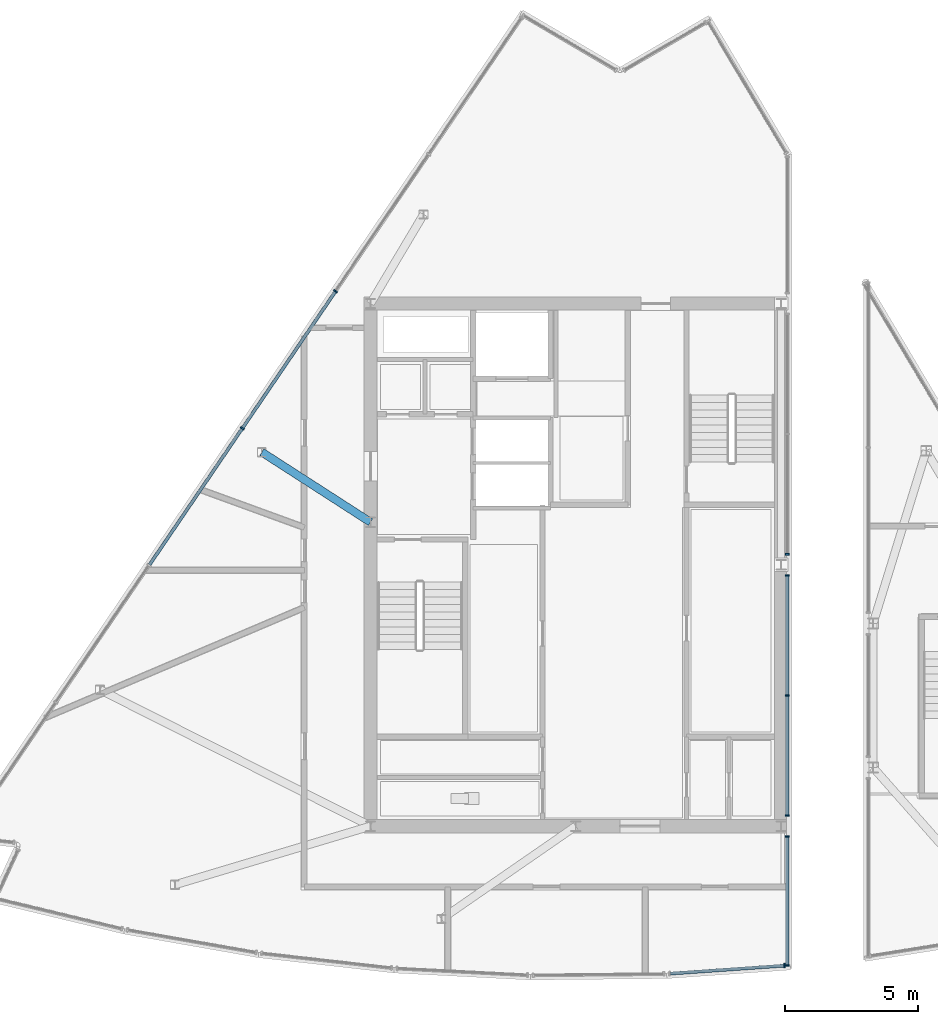
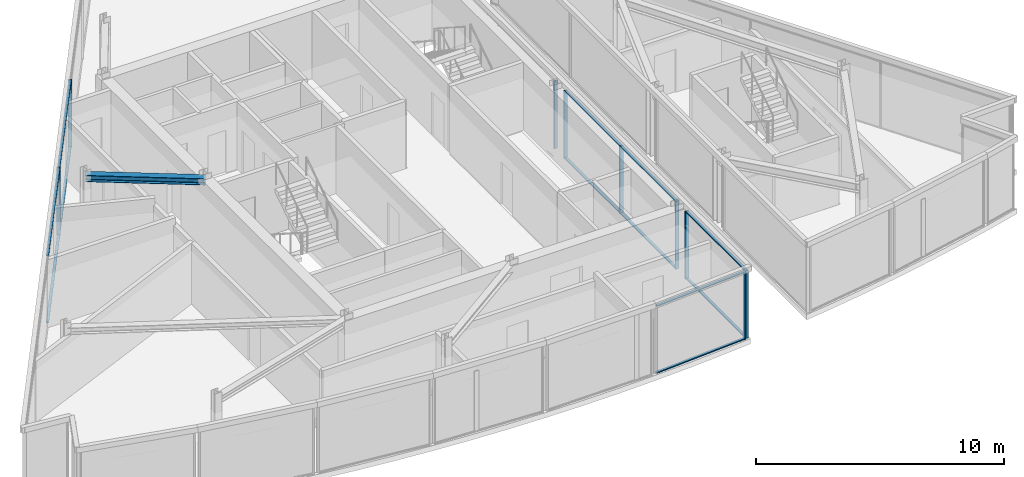
# One storey, part 4 of 15: 21 members, 1 beam, 5 elements without a shape of their own.
"""IFC4 building model written with IfcOpenShell, lengths in metres."""

from ifc_helpers import new_model, si_unit, direction, frame, origin, origin_2d, place, context, subcontext, project, spatial, rectangle, i_section, extrude, material, material_profile, profile_set, type_object, element, aggregate, save


model = new_model("IFC4")

# Units and contexts
model_context = context("Model", 3, precision=1e-05, world=origin(), true_north=direction((0.0, 1.0)))
body_context = subcontext(model_context, "Body", "Model", "MODEL_VIEW")
ifc_project = project(units=[si_unit("LENGTHUNIT", "METRE"), si_unit("AREAUNIT", "SQUARE_METRE"), si_unit("VOLUMEUNIT", "CUBIC_METRE"), si_unit("PLANEANGLEUNIT", "RADIAN"), si_unit("MASSUNIT", "GRAM", prefix="KILO")], contexts=[model_context])

# Site, building, storey
site_placement = place(None, origin())
site = spatial("IfcSite", under=ifc_project, at=site_placement, CompositionType="ELEMENT")
building_placement = place(site_placement, origin())
building = spatial("IfcBuilding", under=site, at=building_placement, Name="Savorim Split Tower", CompositionType="ELEMENT")
storey_placement = place(building_placement, frame((0.0, 0.0, 304.800048828125)))
storey = spatial("IfcBuildingStorey", under=building, at=storey_placement, Name="Crown L81 Plant", CompositionType="ELEMENT", Elevation=304.800048828125)

# Beam
ifc_material_1 = material(Name="Steel S355", Category="steel")
ifc_material_profile_1 = material_profile(ifc_material_1, i_section(OverallWidth=0.300048828125, OverallDepth=0.320068359375, WebThickness=0.011474609375, FlangeThickness=0.0205078125, FilletRadius=0.027099609375, at=origin_2d()), Name="HEB 320")
ifc_profile_set_1 = profile_set([ifc_material_profile_1], Name="Steel S355")
beam_type = type_object("IfcBeamType", Name="BM-PRI-HEB320", PredefinedType="BEAM", material=ifc_profile_set_1)
beam_placement = place(storey_placement, frame((-11.775390625, 4.626708984375, 3.179931640625), z_axis=(0.840541482681, -0.541747188172, 0.0), x_axis=(0.541747188172, 0.840541482681, 0.0)))
element("IfcBeam", 1, at=beam_placement, inside=storey, type_object=beam_type, Name="Crown L81 Plant West Crown Beam WBG-4", PredefinedType="BEAM", context=body_context, shape_type="SweptSolid", body=[
    extrude(i_section(OverallWidth=0.300048828125, OverallDepth=0.320068359375, WebThickness=0.011474609375, FlangeThickness=0.0205078125, FilletRadius=0.027099609375, at=origin_2d()), origin(), (0.0, 0.0, 1.0), 4.8486328125),
])

# Curtain wall, members
ifc_material_2 = material(Name="Dark Ceramic-Fritted Insulated Glass", Category="glass")
curtain_wall_type = type_object("IfcCurtainWallType", Name="CW-CROWN-CREST", PredefinedType="NOTDEFINED", material=ifc_material_2)
curtain_wall_1_placement = place(storey_placement, origin())
curtain_wall_1 = element("IfcCurtainWall", 2, at=curtain_wall_1_placement, inside=storey, type_object=curtain_wall_type, Name="Crown L81 Plant Curtain Wall CW-Crown-L81-Plant-W1AS1", PredefinedType="NOTDEFINED")
ifc_material_3 = material(Name="Charcoal Anodised Aluminium", Category="aluminium")
ifc_material_profile_2 = material_profile(ifc_material_3, rectangle(XDim=0.159912109375, YDim=0.06005859375, at=origin_2d()), Name="ALU-M 160x60")
ifc_profile_set_2 = profile_set([ifc_material_profile_2], Name="Charcoal Anodised Aluminium")
member_type_1 = type_object("IfcMemberType", Name="CWM-160x60", PredefinedType="MULLION", material=ifc_profile_set_2)
member_1_placement = place(storey_placement, frame((7.929931640625, -14.625732421875, 0.0), z_axis=(0.0, 0.0, 1.0), x_axis=(-1.0, 0.0, 0.0)))
member_1 = element("IfcMember", 3, at=member_1_placement, type_object=member_type_1, Name="CW-07 mullion 1", PredefinedType="MULLION", context=body_context, shape_type="SweptSolid", body=[
    extrude(rectangle(XDim=0.159912109375, YDim=0.06005859375, at=origin_2d()), origin(), (0.0, 0.0, 1.0), 3.33984375),
])
member_2_placement = place(storey_placement, frame((7.929931640625, -9.7958984375, 0.0), z_axis=(0.0, 0.0, 1.0), x_axis=(-1.0, 0.0, 0.0)))
member_2 = element("IfcMember", 4, at=member_2_placement, type_object=member_type_1, Name="CW-07 mullion 2", PredefinedType="MULLION", context=body_context, shape_type="SweptSolid", body=[
    extrude(rectangle(XDim=0.159912109375, YDim=0.06005859375, at=origin_2d()), origin(), (0.0, 0.0, 1.0), 3.33984375),
])

curtain_wall_2_placement = place(storey_placement, origin())
curtain_wall_2 = element("IfcCurtainWall", 5, at=curtain_wall_2_placement, inside=storey, type_object=curtain_wall_type, Name="Crown L81 Plant Curtain Wall CW-Crown-L81-Plant-W1AS2", PredefinedType="NOTDEFINED")
member_3_placement = place(storey_placement, frame((7.929931640625, -9.00390625, 0.0), z_axis=(0.0, 0.0, 1.0), x_axis=(-1.0, 0.0, 0.0)))
member_3 = element("IfcMember", 6, at=member_3_placement, type_object=member_type_1, Name="CW-07 mullion 1", PredefinedType="MULLION", context=body_context, shape_type="SweptSolid", body=[
    extrude(rectangle(XDim=0.159912109375, YDim=0.06005859375, at=origin_2d()), origin(), (0.0, 0.0, 1.0), 3.33984375),
])
member_4_placement = place(storey_placement, frame((7.929931640625, -4.5, 0.0), z_axis=(0.0, 0.0, 1.0), x_axis=(-1.0, 0.0, 0.0)))
member_4 = element("IfcMember", 7, at=member_4_placement, type_object=member_type_1, Name="CW-07 mullion 2", PredefinedType="MULLION", context=body_context, shape_type="SweptSolid", body=[
    extrude(rectangle(XDim=0.159912109375, YDim=0.06005859375, at=origin_2d()), origin(), (0.0, 0.0, 1.0), 3.33984375),
])
member_5_placement = place(storey_placement, frame((7.929931640625, 0.00390625, 0.0), z_axis=(0.0, 0.0, 1.0), x_axis=(-1.0, 0.0, 0.0)))
member_5 = element("IfcMember", 8, at=member_5_placement, type_object=member_type_1, Name="CW-07 mullion 3", PredefinedType="MULLION", context=body_context, shape_type="SweptSolid", body=[
    extrude(rectangle(XDim=0.159912109375, YDim=0.06005859375, at=origin_2d()), origin(), (0.0, 0.0, 1.0), 3.33984375),
])

# Curtain wall, member
curtain_wall_3_placement = place(storey_placement, origin())
curtain_wall_3 = element("IfcCurtainWall", 9, at=curtain_wall_3_placement, inside=storey, type_object=curtain_wall_type, Name="Crown L81 Plant Curtain Wall CW-Crown-L81-Plant-W1AS3", PredefinedType="NOTDEFINED")
member_6_placement = place(storey_placement, frame((7.929931640625, 0.7958984375, 0.0), z_axis=(0.0, 0.0, 1.0), x_axis=(-1.0, 0.0, 0.0)))
member_6 = element("IfcMember", 10, at=member_6_placement, type_object=member_type_1, Name="CW-07 mullion 1", PredefinedType="MULLION", context=body_context, shape_type="SweptSolid", body=[
    extrude(rectangle(XDim=0.159912109375, YDim=0.06005859375, at=origin_2d()), origin(), (0.0, 0.0, 1.0), 3.33984375),
])
aggregate(curtain_wall_3, [member_6])

# Curtain wall, members
curtain_wall_4_placement = place(storey_placement, origin())
curtain_wall_4 = element("IfcCurtainWall", 11, at=curtain_wall_4_placement, inside=storey, type_object=curtain_wall_type, Name="Crown L81 Plant Curtain Wall CW-Crown-L81-Plant-W5A", PredefinedType="NOTDEFINED")
member_7_placement = place(storey_placement, frame((-9.01123046875, 10.65966796875, 0.0), z_axis=(0.0, 0.0, 1.0), x_axis=(0.826819666495, -0.562467100457, 0.0)))
member_7 = element("IfcMember", 12, at=member_7_placement, type_object=member_type_1, Name="CW-07 mullion 3", PredefinedType="MULLION", context=body_context, shape_type="SweptSolid", body=[
    extrude(rectangle(XDim=0.159912109375, YDim=0.06005859375, at=origin_2d()), origin(), (0.0, 0.0, 1.0), 3.33984375),
])
member_8_placement = place(storey_placement, frame((-12.507568359375, 5.52001953125, 0.0), z_axis=(0.0, 0.0, 1.0), x_axis=(0.826819666495, -0.562467100457, 0.0)))
member_8 = element("IfcMember", 13, at=member_8_placement, type_object=member_type_1, Name="CW-07 mullion 4", PredefinedType="MULLION", context=body_context, shape_type="SweptSolid", body=[
    extrude(rectangle(XDim=0.159912109375, YDim=0.06005859375, at=origin_2d()), origin(), (0.0, 0.0, 1.0), 3.33984375),
])

# Curtain wall, member
curtain_wall_5_placement = place(storey_placement, origin())
curtain_wall_5 = element("IfcCurtainWall", 14, at=curtain_wall_5_placement, inside=storey, type_object=curtain_wall_type, Name="Crown L81 Plant Curtain Wall CW-Crown-L81-Plant-W13A", PredefinedType="NOTDEFINED")
member_9_placement = place(storey_placement, frame((7.827392578125, -14.631103515625, 0.0), z_axis=(0.0, 0.0, 1.0), x_axis=(-0.069501131045, 0.997581872722, 0.0)))
member_9 = element("IfcMember", 15, at=member_9_placement, type_object=member_type_1, Name="CW-07 mullion 2", PredefinedType="MULLION", context=body_context, shape_type="SweptSolid", body=[
    extrude(rectangle(XDim=0.159912109375, YDim=0.06005859375, at=origin_2d()), origin(), (0.0, 0.0, 1.0), 3.33984375),
])

# Member
ifc_material_profile_3 = material_profile(ifc_material_3, rectangle(XDim=0.1201171875, YDim=0.050048828125, at=origin_2d()), Name="ALU-T 120x50")
ifc_profile_set_3 = profile_set([ifc_material_profile_3], Name="Charcoal Anodised Aluminium")
member_type_2 = type_object("IfcMemberType", Name="CWT-120x50", PredefinedType="USERDEFINED", material=ifc_profile_set_3)
member_10_placement = place(storey_placement, frame((7.929931640625, -14.595703125, 0.02490234375), z_axis=(0.0, 1.0, 0.0), x_axis=(-1.0, 0.0, 0.0)))
member_10 = element("IfcMember", 16, at=member_10_placement, type_object=member_type_2, Name="CW-07 transom 1.1", ObjectType="TRANSOM", PredefinedType="USERDEFINED", context=body_context, shape_type="SweptSolid", body=[
    extrude(rectangle(XDim=0.1201171875, YDim=0.050048828125, at=origin_2d()), origin(), (0.0, 0.0, 1.0), 4.769775390625),
])

member_11_placement = place(storey_placement, frame((7.929931640625, -14.595703125, 3.31494140625), z_axis=(0.0, 1.0, 0.0), x_axis=(-1.0, 0.0, 0.0)))
member_11 = element("IfcMember", 17, at=member_11_placement, type_object=member_type_2, Name="CW-07 transom 1.2", ObjectType="TRANSOM", PredefinedType="USERDEFINED", context=body_context, shape_type="SweptSolid", body=[
    extrude(rectangle(XDim=0.1201171875, YDim=0.050048828125, at=origin_2d()), origin(), (0.0, 0.0, 1.0), 4.769775390625),
])

aggregate(curtain_wall_1, [member_1, member_2, member_10, member_11])

member_12_placement = place(storey_placement, frame((7.929931640625, -8.97412109375, 0.02490234375), z_axis=(0.0, 1.0, 0.0), x_axis=(-1.0, 0.0, 0.0)))
member_12 = element("IfcMember", 18, at=member_12_placement, type_object=member_type_2, Name="CW-07 transom 1.1", ObjectType="TRANSOM", PredefinedType="USERDEFINED", context=body_context, shape_type="SweptSolid", body=[
    extrude(rectangle(XDim=0.1201171875, YDim=0.050048828125, at=origin_2d()), origin(), (0.0, 0.0, 1.0), 4.444091796875),
])

member_13_placement = place(storey_placement, frame((7.929931640625, -8.97412109375, 3.31494140625), z_axis=(0.0, 1.0, 0.0), x_axis=(-1.0, 0.0, 0.0)))
member_13 = element("IfcMember", 19, at=member_13_placement, type_object=member_type_2, Name="CW-07 transom 1.2", ObjectType="TRANSOM", PredefinedType="USERDEFINED", context=body_context, shape_type="SweptSolid", body=[
    extrude(rectangle(XDim=0.1201171875, YDim=0.050048828125, at=origin_2d()), origin(), (0.0, 0.0, 1.0), 4.444091796875),
])

member_14_placement = place(storey_placement, frame((7.929931640625, -4.469970703125, 0.02490234375), z_axis=(0.0, 1.0, 0.0), x_axis=(-1.0, 0.0, 0.0)))
member_14 = element("IfcMember", 20, at=member_14_placement, type_object=member_type_2, Name="CW-07 transom 2.1", ObjectType="TRANSOM", PredefinedType="USERDEFINED", context=body_context, shape_type="SweptSolid", body=[
    extrude(rectangle(XDim=0.1201171875, YDim=0.050048828125, at=origin_2d()), origin(), (0.0, 0.0, 1.0), 4.444091796875),
])

member_15_placement = place(storey_placement, frame((7.929931640625, -4.469970703125, 3.31494140625), z_axis=(0.0, 1.0, 0.0), x_axis=(-1.0, 0.0, 0.0)))
member_15 = element("IfcMember", 21, at=member_15_placement, type_object=member_type_2, Name="CW-07 transom 2.2", ObjectType="TRANSOM", PredefinedType="USERDEFINED", context=body_context, shape_type="SweptSolid", body=[
    extrude(rectangle(XDim=0.1201171875, YDim=0.050048828125, at=origin_2d()), origin(), (0.0, 0.0, 1.0), 4.444091796875),
])

aggregate(curtain_wall_2, [member_3, member_4, member_5, member_12, member_13, member_14, member_15])

member_16_placement = place(storey_placement, frame((-9.028076171875, 10.634765625, 0.02490234375), z_axis=(-0.562482486434, -0.826809199547, 0.0), x_axis=(0.826809199547, -0.562482486434, 0.0)))
member_16 = element("IfcMember", 22, at=member_16_placement, type_object=member_type_2, Name="CW-07 transom 3.1", ObjectType="TRANSOM", PredefinedType="USERDEFINED", context=body_context, shape_type="SweptSolid", body=[
    extrude(rectangle(XDim=0.1201171875, YDim=0.050048828125, at=origin_2d()), origin(), (0.0, 0.0, 1.0), 6.156005859375),
])

member_17_placement = place(storey_placement, frame((-9.028076171875, 10.634765625, 3.31494140625), z_axis=(-0.562482486434, -0.826809199547, 0.0), x_axis=(0.826809199547, -0.562482486434, 0.0)))
member_17 = element("IfcMember", 23, at=member_17_placement, type_object=member_type_2, Name="CW-07 transom 3.2", ObjectType="TRANSOM", PredefinedType="USERDEFINED", context=body_context, shape_type="SweptSolid", body=[
    extrude(rectangle(XDim=0.1201171875, YDim=0.050048828125, at=origin_2d()), origin(), (0.0, 0.0, 1.0), 6.156005859375),
])

member_18_placement = place(storey_placement, frame((-12.5244140625, 5.4951171875, 0.02490234375), z_axis=(-0.562482486434, -0.826809199547, 0.0), x_axis=(0.826809199547, -0.562482486434, 0.0)))
member_18 = element("IfcMember", 24, at=member_18_placement, type_object=member_type_2, Name="CW-07 transom 4.1", ObjectType="TRANSOM", PredefinedType="USERDEFINED", context=body_context, shape_type="SweptSolid", body=[
    extrude(rectangle(XDim=0.1201171875, YDim=0.050048828125, at=origin_2d()), origin(), (0.0, 0.0, 1.0), 6.156005859375),
])

member_19_placement = place(storey_placement, frame((-12.5244140625, 5.4951171875, 3.31494140625), z_axis=(-0.562482486434, -0.826809199547, 0.0), x_axis=(0.826809199547, -0.562482486434, 0.0)))
member_19 = element("IfcMember", 25, at=member_19_placement, type_object=member_type_2, Name="CW-07 transom 4.2", ObjectType="TRANSOM", PredefinedType="USERDEFINED", context=body_context, shape_type="SweptSolid", body=[
    extrude(rectangle(XDim=0.1201171875, YDim=0.050048828125, at=origin_2d()), origin(), (0.0, 0.0, 1.0), 6.156005859375),
])

aggregate(curtain_wall_4, [member_7, member_8, member_16, member_17, member_18, member_19])

member_20_placement = place(storey_placement, frame((3.54345703125, -14.929443359375, 0.02490234375), z_axis=(0.997581567565, 0.069505510963, 0.0), x_axis=(-0.069505510963, 0.997581567565, 0.0)))
member_20 = element("IfcMember", 26, at=member_20_placement, type_object=member_type_2, Name="CW-07 transom 1.1", ObjectType="TRANSOM", PredefinedType="USERDEFINED", context=body_context, shape_type="SweptSolid", body=[
    extrude(rectangle(XDim=0.1201171875, YDim=0.050048828125, at=origin_2d()), origin(), (0.0, 0.0, 1.0), 4.26416015625),
])

member_21_placement = place(storey_placement, frame((3.54345703125, -14.929443359375, 3.31494140625), z_axis=(0.997581567565, 0.069505510963, 0.0), x_axis=(-0.069505510963, 0.997581567565, 0.0)))
member_21 = element("IfcMember", 27, at=member_21_placement, type_object=member_type_2, Name="CW-07 transom 1.2", ObjectType="TRANSOM", PredefinedType="USERDEFINED", context=body_context, shape_type="SweptSolid", body=[
    extrude(rectangle(XDim=0.1201171875, YDim=0.050048828125, at=origin_2d()), origin(), (0.0, 0.0, 1.0), 4.26416015625),
])

aggregate(curtain_wall_5, [member_9, member_20, member_21])

save(model, "model.ifc")
